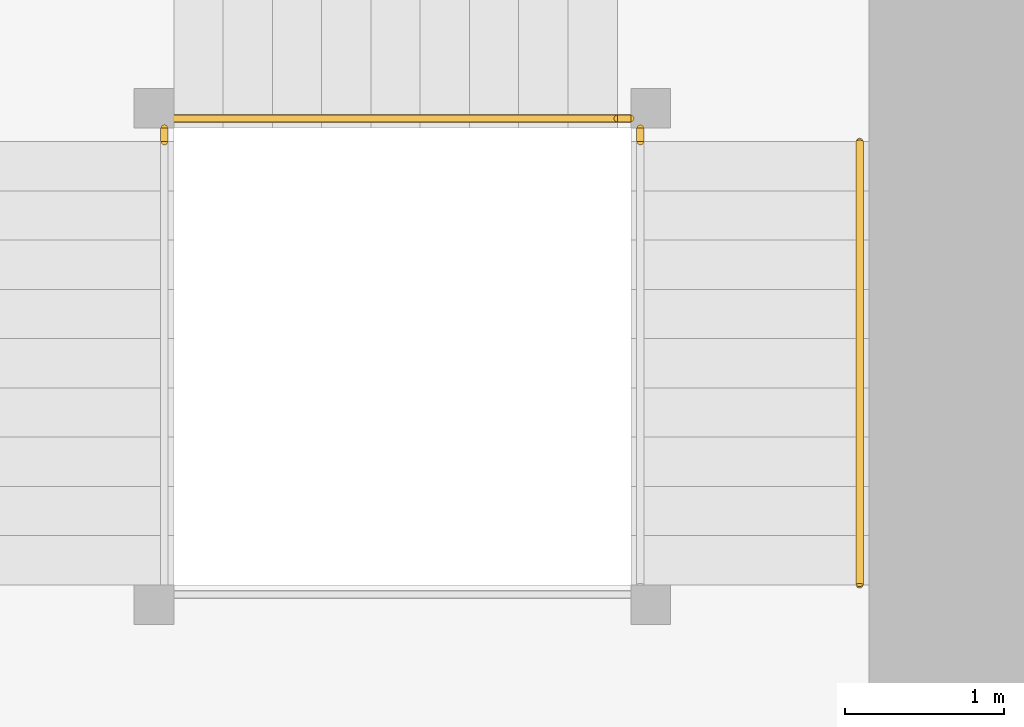
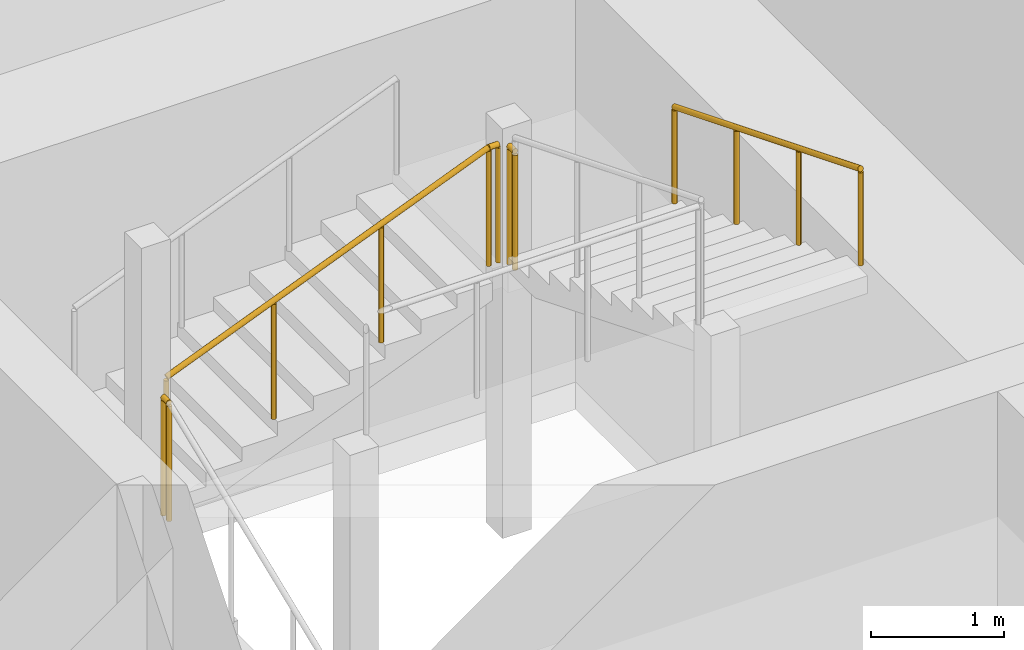
# One storey, part 39 of 40: 5 railings.
"""IFC4 building model written with IfcOpenShell, lengths in metres."""

from ifc_helpers import new_model, si_unit, direction, frame, origin, origin_2d, place, context, subcontext, project, spatial, circle, extrude, material, type_object, element, save


model = new_model("IFC4")

# Units and contexts
model_context = context("Model", 3, precision=1e-05, world=origin(), true_north=direction((0.0, 1.0)))
body_context = subcontext(model_context, "Body", "Model", "MODEL_VIEW")
ifc_project = project(units=[si_unit("LENGTHUNIT", "METRE"), si_unit("AREAUNIT", "SQUARE_METRE"), si_unit("VOLUMEUNIT", "CUBIC_METRE"), si_unit("PLANEANGLEUNIT", "RADIAN"), si_unit("MASSUNIT", "GRAM", prefix="KILO")], contexts=[model_context])

# Site, building, storey
site_placement = place(None, origin())
site = spatial("IfcSite", under=ifc_project, at=site_placement, CompositionType="ELEMENT")
building_placement = place(site_placement, origin())
building = spatial("IfcBuilding", under=site, at=building_placement, Name="Rekha Terrace Tower", CompositionType="ELEMENT")
storey_placement = place(building_placement, frame((0.0, 0.0, 129.050048828125)))
storey = spatial("IfcBuildingStorey", under=building, at=storey_placement, Name="L32", CompositionType="ELEMENT", Elevation=129.050048828125)

# Railings
ifc_material_1 = material(Name="Stainless steel balustrade", Category="steel")
railing_type_1 = type_object("IfcRailingType", Name="GR1 1100 stair guard", PredefinedType="GUARDRAIL", material=ifc_material_1)
railing_1_placement = place(storey_placement, frame((45.52490234375, 44.260009765625, 1.375)))
element("IfcRailing", 1, at=railing_1_placement, inside=storey, type_object=railing_type_1, Name="Guard ST2 L32 flight 2", PredefinedType="GUARDRAIL", context=body_context, shape_type="SweptSolid", body=[
    extrude(circle(Radius=0.02392578125, at=origin_2d()), frame((0.0, 0.0, 1.076171875), z_axis=(0.927443287984, 0.0, 0.373963831907), x_axis=(0.0, 1.0, 0.0)), (0.0, 0.0, 1.0), 3.00830078125),
    extrude(circle(Radius=0.02099609375, at=origin_2d()), origin(), (0.0, 0.0, 1.0), 1.052001953125),
    extrude(circle(Radius=0.02099609375, at=origin_2d()), frame((0.929931640625, 0.0, 0.375)), (0.0, 0.0, 1.0), 1.052001953125),
    extrude(circle(Radius=0.02099609375, at=origin_2d()), frame((1.860107421875, 0.0, 0.75)), (0.0, 0.0, 1.0), 1.052001953125),
    extrude(circle(Radius=0.02099609375, at=origin_2d()), frame((2.7900390625, 0.0, 1.125)), (0.0, 0.0, 1.0), 1.052001953125),
])
railing_2_placement = place(storey_placement, frame((45.465087890625, 44.114990234375, 1.25)))
element("IfcRailing", 2, at=railing_2_placement, inside=storey, type_object=railing_type_1, Name="Guard ST2 L32 landing 1", PredefinedType="GUARDRAIL", context=body_context, shape_type="SweptSolid", body=[
    extrude(circle(Radius=0.02392578125, at=origin_2d()), frame((0.0, 0.0, 1.076171875), z_axis=(0.0, 1.0, 0.0), x_axis=(-1.0, 0.0, 0.0)), (0.0, 0.0, 1.0), 0.0849609375),
    extrude(circle(Radius=0.02099609375, at=origin_2d()), origin(), (0.0, 0.0, 1.0), 1.052001953125),
    extrude(circle(Radius=0.02099609375, at=origin_2d()), frame((0.0, 0.0849609375, 0.0)), (0.0, 0.0, 1.0), 1.052001953125),
])
railing_3_placement = place(storey_placement, frame((48.31494140625, 44.260009765625, 2.5)))
element("IfcRailing", 3, at=railing_3_placement, inside=storey, type_object=railing_type_1, Name="Guard ST2 L32 landing 2", PredefinedType="GUARDRAIL", context=body_context, shape_type="SweptSolid", body=[
    extrude(circle(Radius=0.02392578125, at=origin_2d()), frame((0.0, 0.0, 1.076171875), z_axis=(1.0, 0.0, 0.0), x_axis=(0.0, 1.0, 0.0)), (0.0, 0.0, 1.0), 0.0849609375),
    extrude(circle(Radius=0.02099609375, at=origin_2d()), origin(), (0.0, 0.0, 1.0), 1.052001953125),
    extrude(circle(Radius=0.02099609375, at=origin_2d()), frame((0.0849609375, 0.0, 0.0)), (0.0, 0.0, 1.0), 1.052001953125),
])
railing_4_placement = place(storey_placement, frame((48.4599609375, 44.114990234375, 2.5)))
element("IfcRailing", 4, at=railing_4_placement, inside=storey, type_object=railing_type_1, Name="Guard ST2 L32 landing 3", PredefinedType="GUARDRAIL", context=body_context, shape_type="SweptSolid", body=[
    extrude(circle(Radius=0.02392578125, at=origin_2d()), frame((0.0, 0.0, 1.076171875), z_axis=(0.0, 1.0, 0.0), x_axis=(-1.0, 0.0, 0.0)), (0.0, 0.0, 1.0), 0.0849609375),
    extrude(circle(Radius=0.02099609375, at=origin_2d()), origin(), (0.0, 0.0, 1.0), 1.052001953125),
    extrude(circle(Radius=0.02099609375, at=origin_2d()), frame((0.0, 0.0849609375, 0.0)), (0.0, 0.0, 1.0), 1.052001953125),
])
ifc_material_2 = material(Name="Stainless steel tube", Category="steel")
railing_type_2 = type_object("IfcRailingType", Name="HR1 900 stair handrail", PredefinedType="HANDRAIL", material=ifc_material_2)
railing_5_placement = place(storey_placement, frame((49.840087890625, 44.114990234375, 2.625)))
element("IfcRailing", 5, at=railing_5_placement, inside=storey, type_object=railing_type_2, Name="Handrail ST2 L32 flight 3", PredefinedType="HANDRAIL", context=body_context, shape_type="SweptSolid", body=[
    extrude(circle(Radius=0.02392578125, at=origin_2d()), frame((0.0, 0.0, 0.8759765625), z_axis=(0.0, -0.927443287984, 0.373963831907), x_axis=(1.0, 0.0, 0.0)), (0.0, 0.0, 1.0), 3.00830078125),
    extrude(circle(Radius=0.02099609375, at=origin_2d()), origin(), (0.0, 0.0, 1.0), 0.851806640625),
    extrude(circle(Radius=0.02099609375, at=origin_2d()), frame((0.0, -0.929931640625, 0.375)), (0.0, 0.0, 1.0), 0.851806640625),
    extrude(circle(Radius=0.02099609375, at=origin_2d()), frame((0.0, -1.860107421875, 0.75)), (0.0, 0.0, 1.0), 0.851806640625),
    extrude(circle(Radius=0.02099609375, at=origin_2d()), frame((0.0, -2.7900390625, 1.125)), (0.0, 0.0, 1.0), 0.851806640625),
])

save(model, "model.ifc")
